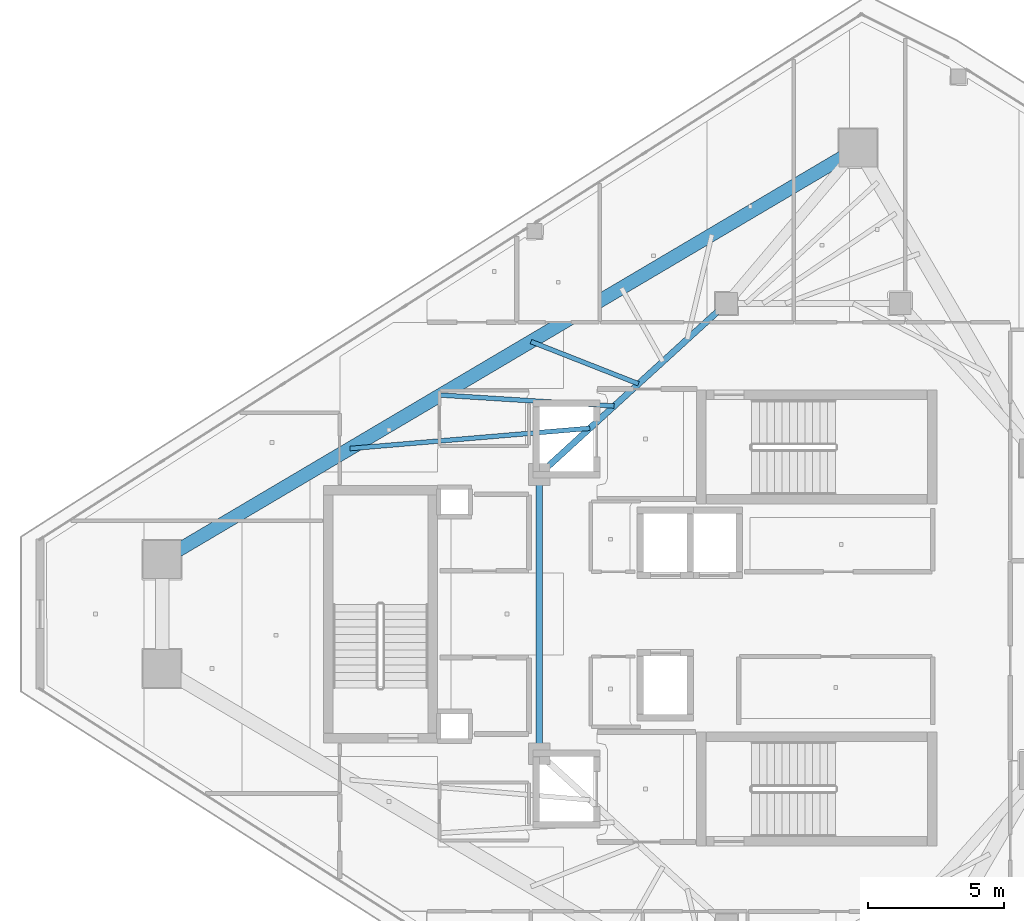
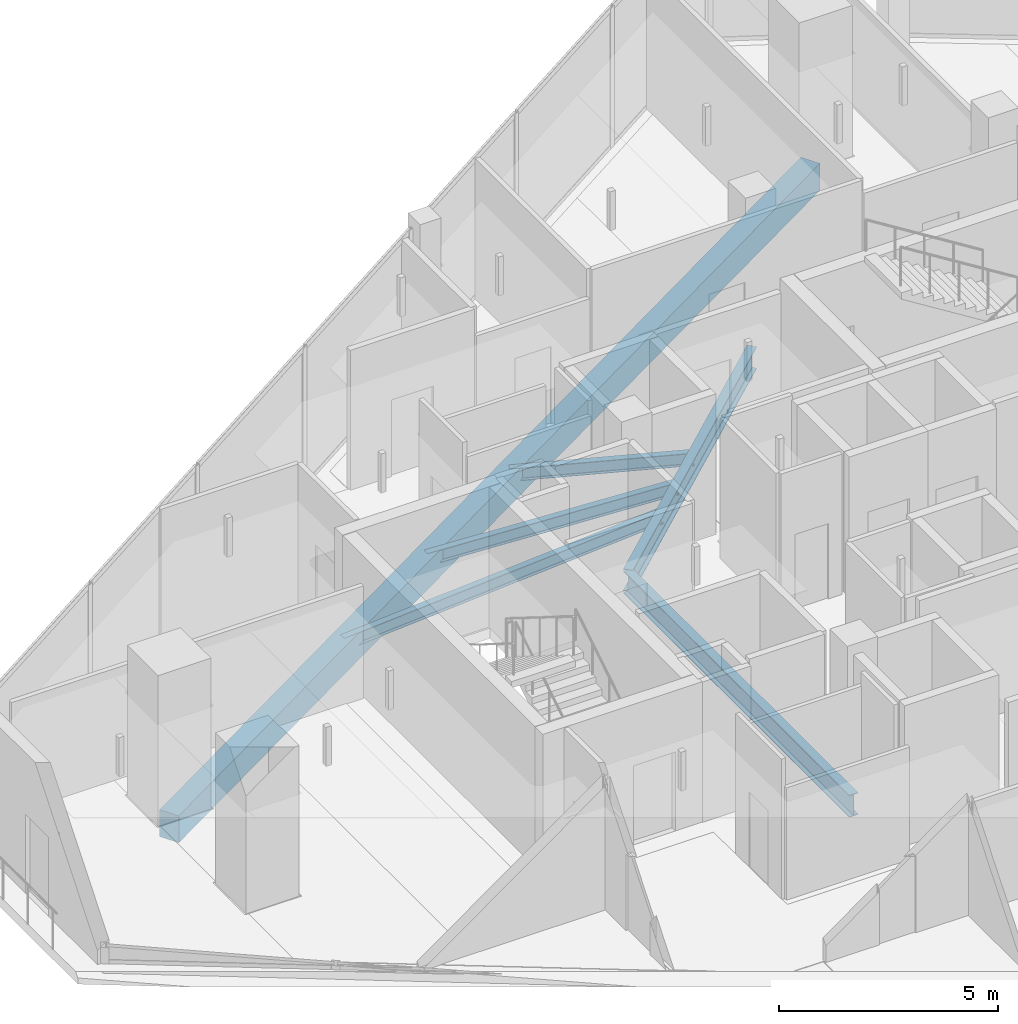
# One storey, part 6 of 25: 6 beams.
"""IFC4 building model written with IfcOpenShell, lengths in metres."""

from ifc_helpers import new_model, si_unit, direction, frame, origin, origin_2d, place, context, subcontext, project, spatial, rectangle, i_section, extrude, material, material_profile, profile_set, type_object, element, save


model = new_model("IFC4")

# Units and contexts
model_context = context("Model", 3, precision=1e-05, world=origin(), true_north=direction((0.0, 1.0)))
body_context = subcontext(model_context, "Body", "Model", "MODEL_VIEW")
ifc_project = project(units=[si_unit("LENGTHUNIT", "METRE"), si_unit("AREAUNIT", "SQUARE_METRE"), si_unit("VOLUMEUNIT", "CUBIC_METRE"), si_unit("PLANEANGLEUNIT", "RADIAN"), si_unit("MASSUNIT", "GRAM", prefix="KILO")], contexts=[model_context])

# Site, building, storey
site_placement = place(None, origin())
site = spatial("IfcSite", under=ifc_project, at=site_placement, CompositionType="ELEMENT")
building_placement = place(site_placement, origin())
building = spatial("IfcBuilding", under=site, at=building_placement, Name="Qorvath Tower", CompositionType="ELEMENT")
storey_placement = place(building_placement, frame((0.0, 0.0, 306.0)))
storey = spatial("IfcBuildingStorey", under=building, at=storey_placement, Name="L71", CompositionType="ELEMENT", Elevation=306.0)

# Beams
ifc_material_1 = material(Name="Steel ASTM A992 Grade 50", Category="steel")
ifc_material_profile_1 = material_profile(ifc_material_1, i_section(OverallWidth=0.22998046875, OverallDepth=0.616943359375, WebThickness=0.01318359375, FlangeThickness=0.022216796875, FilletRadius=0.014892578125, at=origin_2d()), Name="W24x94")
ifc_profile_set_1 = profile_set([ifc_material_profile_1], Name="Steel ASTM A992 Grade 50")
beam_type_1 = type_object("IfcBeamType", Name="BM-FG6", PredefinedType="BEAM", material=ifc_profile_set_1)
beam_1_placement = place(storey_placement, frame((-30.5, -5.14990234375, -0.598388671875), z_axis=(0.0, 1.0, 0.0), x_axis=(-1.0, 0.0, 0.0)))
element("IfcBeam", 1, at=beam_1_placement, inside=storey, type_object=beam_type_1, Name="Core Ring Girder CC6-CC5 L71", PredefinedType="BEAM", context=body_context, shape_type="SweptSolid", body=[
    extrude(i_section(OverallWidth=0.22998046875, OverallDepth=0.616943359375, WebThickness=0.01318359375, FlangeThickness=0.022216796875, FilletRadius=0.014892578125, at=origin_2d()), origin(), (0.0, 0.0, 1.0), 10.2998046875),
])
beam_2_placement = place(storey_placement, frame((-30.5, 5.14990234375, -0.598388671875), z_axis=(0.73847813985, 0.6742774184, 0.0), x_axis=(-0.6742774184, 0.73847813985, 0.0)))
element("IfcBeam", 2, at=beam_2_placement, inside=storey, type_object=beam_type_1, Name="Core Ring Girder CC5-CC1 L71", PredefinedType="BEAM", context=body_context, shape_type="SweptSolid", body=[
    extrude(i_section(OverallWidth=0.22998046875, OverallDepth=0.616943359375, WebThickness=0.01318359375, FlangeThickness=0.022216796875, FilletRadius=0.014892578125, at=origin_2d()), origin(), (0.0, 0.0, 1.0), 9.343505859375),
])
ifc_material_2 = material(Name="Steel ASTM A992 Grade 50", Category="steel")
ifc_material_profile_2 = material_profile(ifc_material_2, i_section(OverallWidth=0.1708984375, OverallDepth=0.35107421875, WebThickness=0.0068359375, FlangeThickness=0.009765625, FilletRadius=0.010009765625, at=origin_2d()), Name="W14x30")
ifc_profile_set_2 = profile_set([ifc_material_profile_2], Name="Steel ASTM A992 Grade 50")
beam_type_2 = type_object("IfcBeamType", Name="BM-FJ4", PredefinedType="JOIST", material=ifc_profile_set_2)
beam_3_placement = place(storey_placement, frame((-28.636962890625, 6.85107421875, -0.465576171875), z_axis=(-0.996436150147, -0.084350451576, 0.0), x_axis=(0.084350451576, -0.996436150147, 0.0)))
element("IfcBeam", 3, at=beam_3_placement, inside=storey, type_object=beam_type_2, Name="Composite Floor Joist NW2 L71", PredefinedType="JOIST", context=body_context, shape_type="SweptSolid", body=[
    extrude(i_section(OverallWidth=0.1708984375, OverallDepth=0.35107421875, WebThickness=0.0068359375, FlangeThickness=0.009765625, FilletRadius=0.010009765625, at=origin_2d()), origin(), (0.0, 0.0, 1.0), 8.87109375),
])
beam_4_placement = place(storey_placement, frame((-27.739990234375, 7.669921875, -0.465576171875), z_axis=(-0.998006998641, 0.063103333222, 0.0), x_axis=(-0.063103333222, -0.998006998641, 0.0)))
element("IfcBeam", 4, at=beam_4_placement, inside=storey, type_object=beam_type_2, Name="Composite Floor Joist NW3 L71", PredefinedType="JOIST", context=body_context, shape_type="SweptSolid", body=[
    extrude(i_section(OverallWidth=0.1708984375, OverallDepth=0.35107421875, WebThickness=0.0068359375, FlangeThickness=0.009765625, FilletRadius=0.010009765625, at=origin_2d()), origin(), (0.0, 0.0, 1.0), 6.41455078125),
])
beam_5_placement = place(storey_placement, frame((-26.843017578125, 8.489013671875, -0.465576171875), z_axis=(-0.930720832638, 0.365730408489, 0.0), x_axis=(-0.365730408489, -0.930720832638, 0.0)))
element("IfcBeam", 5, at=beam_5_placement, inside=storey, type_object=beam_type_2, Name="Composite Floor Joist NW4 L71", PredefinedType="JOIST", context=body_context, shape_type="SweptSolid", body=[
    extrude(i_section(OverallWidth=0.1708984375, OverallDepth=0.35107421875, WebThickness=0.0068359375, FlangeThickness=0.009765625, FilletRadius=0.010009765625, at=origin_2d()), origin(), (0.0, 0.0, 1.0), 4.259033203125),
])
ifc_material_3 = material(Name="Concrete C45/55", Category="concrete")
ifc_material_profile_3 = material_profile(ifc_material_3, rectangle(XDim=0.5, YDim=0.75, at=origin_2d()), Name="RCB 750x500")
ifc_profile_set_3 = profile_set([ifc_material_profile_3], Name="Concrete C45/55")
beam_type_3 = type_object("IfcBeamType", Name="BM-RCB3", PredefinedType="SPANDREL", material=ifc_profile_set_3)
beam_6_placement = place(storey_placement, frame((-18.75048828125, 17.175537109375, -0.6650390625), z_axis=(-0.860780849348, -0.508975765038, 0.0), x_axis=(0.508975765038, -0.860780849348, 0.0)))
element("IfcBeam", 6, at=beam_6_placement, inside=storey, type_object=beam_type_3, Name="Perimeter Loggia Frame Beam MC6-MC1 L71", PredefinedType="SPANDREL", context=body_context, shape_type="SweptSolid", body=[
    extrude(rectangle(XDim=0.5, YDim=0.75, at=origin_2d()), origin(), (0.0, 0.0, 1.0), 29.801025390625),
])

save(model, "model.ifc")
